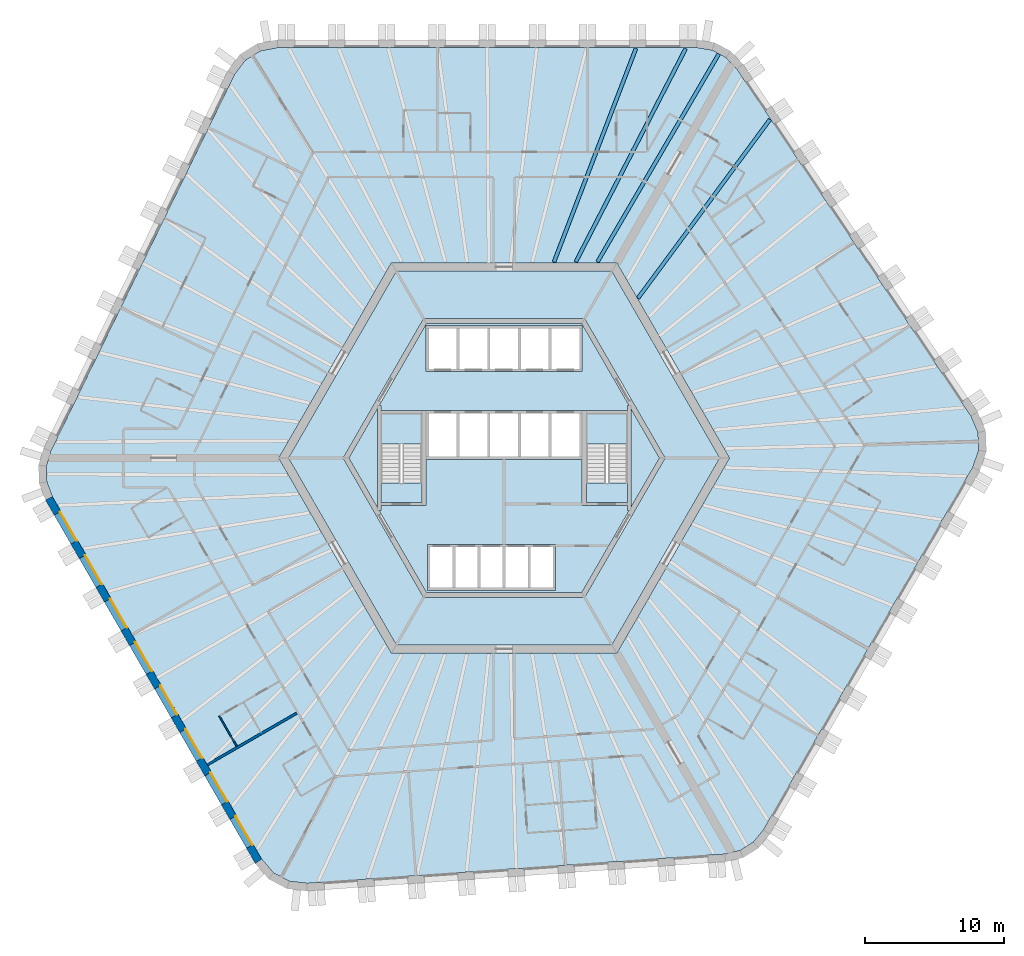
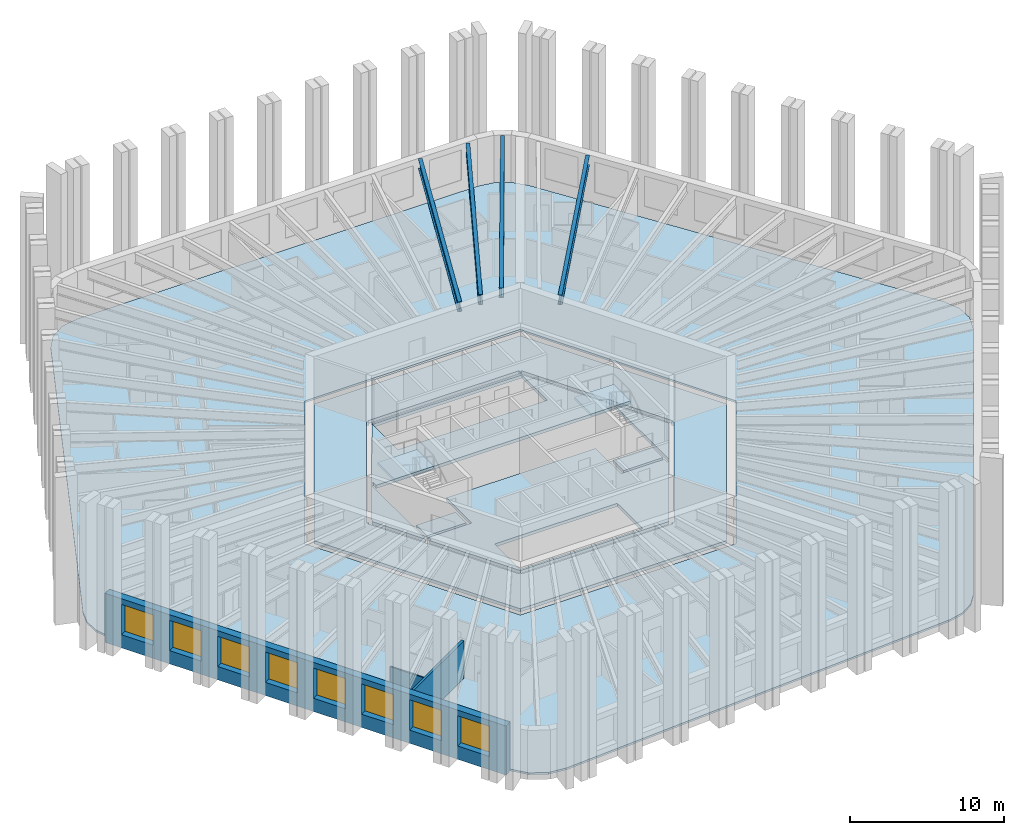
# One storey, part 2 of 12: 10 slabs, 8 windows, 4 beams, 3 walls, 8 openings, 2 elements without a shape of their own.
"""IFC4 building model written with IfcOpenShell, lengths in metres."""

from ifc_helpers import new_model, si_unit, direction, frame, frame_2d, origin, origin_2d, place, context, subcontext, project, spatial, polyline, rectangle, i_section, outline, extrude, material, layer, layer_set, material_profile, profile_set, type_object, element, fill, aggregate, save


model = new_model("IFC4")

# Units and contexts
model_context = context("Model", 3, precision=1e-05, world=origin(), true_north=direction((0.0, 1.0)))
body_context = subcontext(model_context, "Body", "Model", "MODEL_VIEW")
ifc_project = project(units=[si_unit("LENGTHUNIT", "METRE"), si_unit("AREAUNIT", "SQUARE_METRE"), si_unit("VOLUMEUNIT", "CUBIC_METRE"), si_unit("PLANEANGLEUNIT", "RADIAN"), si_unit("MASSUNIT", "GRAM", prefix="KILO")], contexts=[model_context])

# Site, building, storey
site_placement = place(None, origin())
site = spatial("IfcSite", under=ifc_project, at=site_placement, CompositionType="ELEMENT")
building_placement = place(site_placement, origin())
building = spatial("IfcBuilding", under=site, at=building_placement, Name="Tarnside Tower", CompositionType="ELEMENT")
storey_placement = place(building_placement, frame((0.0, 0.0, 37.5)))
storey = spatial("IfcBuildingStorey", under=building, at=storey_placement, Name="L06", CompositionType="ELEMENT", Elevation=37.5)

# Beams
ifc_material_1 = material(Name="Steel S355", Category="steel")
ifc_material_profile = material_profile(ifc_material_1, i_section(OverallWidth=0.2666015625, OverallDepth=0.76220703125, WebThickness=0.014404296875, FlangeThickness=0.021484375, FilletRadius=0.0166015625, at=origin_2d()), Name="UB 762x267x173")
ifc_profile_set = profile_set([ifc_material_profile], Name="Steel S355")
beam_type = type_object("IfcBeamType", Name="Floor beam UB 762x267x173", PredefinedType="BEAM", material=ifc_profile_set)
beam_1_placement = place(storey_placement, frame((13.0283203125, 29.37890625, 3.368896484375), z_axis=(-0.457973226459, -0.888965985765, 0.0), x_axis=(0.888965985765, -0.457973226459, 0.0)))
element("IfcBeam", 1, at=beam_1_placement, inside=storey, type_object=beam_type, Name="Floor beam F1.01", PredefinedType="BEAM", context=body_context, shape_type="SweptSolid", body=[
    extrude(i_section(OverallWidth=0.2666015625, OverallDepth=0.76220703125, WebThickness=0.014404296875, FlangeThickness=0.021484375, FilletRadius=0.0166015625, at=origin_2d()), origin(), (0.0, 0.0, 1.0), 17.219970703125),
])
beam_2_placement = place(storey_placement, frame((9.4619140625, 29.39404296875, 3.368896484375), z_axis=(-0.358299847269, -0.933606565662, 0.0), x_axis=(0.933606565662, -0.358299847269, 0.0)))
element("IfcBeam", 2, at=beam_2_placement, inside=storey, type_object=beam_type, Name="Floor beam F1.02", PredefinedType="BEAM", context=body_context, shape_type="SweptSolid", body=[
    extrude(i_section(OverallWidth=0.2666015625, OverallDepth=0.76220703125, WebThickness=0.014404296875, FlangeThickness=0.021484375, FilletRadius=0.0166015625, at=origin_2d()), origin(), (0.0, 0.0, 1.0), 16.428955078125),
])
beam_3_placement = place(storey_placement, frame((19.072021484375, 24.28857421875, 3.368896484375), z_axis=(-0.593986893499, -0.804474717037, 0.0), x_axis=(0.804474717037, -0.593986893499, 0.0)))
element("IfcBeam", 3, at=beam_3_placement, inside=storey, type_object=beam_type, Name="Floor beam F6.08", PredefinedType="BEAM", context=body_context, shape_type="SweptSolid", body=[
    extrude(i_section(OverallWidth=0.2666015625, OverallDepth=0.76220703125, WebThickness=0.014404296875, FlangeThickness=0.021484375, FilletRadius=0.0166015625, at=origin_2d()), origin(), (0.0, 0.0, 1.0), 15.934326171875),
])
beam_4_placement = place(storey_placement, frame((15.4013671875, 28.990478515625, 3.368896484375), z_axis=(-0.503858723096, -0.863786077198, 0.0), x_axis=(0.863786077198, -0.503858723096, 0.0)))
element("IfcBeam", 4, at=beam_4_placement, inside=storey, type_object=beam_type, Name="Floor beam C6", PredefinedType="BEAM", context=body_context, shape_type="SweptSolid", body=[
    extrude(i_section(OverallWidth=0.2666015625, OverallDepth=0.76220703125, WebThickness=0.014404296875, FlangeThickness=0.021484375, FilletRadius=0.0166015625, at=origin_2d()), origin(), (0.0, 0.0, 1.0), 17.2744140625),
])

# Slabs
ifc_material_2 = material(Name="Concrete C35/45", Category="concrete")
ifc_layer_1 = layer(ifc_material_2, 0.14990234375)
ifc_layer_set_1 = layer_set([ifc_layer_1], Name="Composite floor slab 150")
slab_type_1 = type_object("IfcSlabType", Name="Composite floor slab 150", PredefinedType="FLOOR", material=ifc_layer_set_1)
slab_1_placement = place(storey_placement, frame((0.0, 0.0, -0.14990234375)))
element("IfcSlab", 5, at=slab_1_placement, inside=storey, type_object=slab_type_1, Name="Floor slab L06", PredefinedType="FLOOR", context=body_context, shape_type="SweptSolid", body=[
    extrude(outline(polyline([(14.927490234375, 29.264892578125), (15.91455078125, 28.740234375), (16.697265625, 27.91064453125), (33.48583984375, 3.0205078125), (34.001220703125, 1.825439453125), (34.0458984375, 0.55078125), (33.614990234375, -0.67724609375), (18.603515625, -26.677978515625), (17.880615234375, -27.56005859375), (16.9326171875, -28.15234375), (15.82275390625, -28.41552734375), (-14.127197265625, -30.509765625), (-15.419921875, -30.358642578125), (-16.5458984375, -29.760009765625), (-17.39404296875, -28.772705078125), (-32.405517578125, -2.772216796875), (-32.80810546875, -1.704833984375), (-32.846923828125, -0.587890625), (-32.52001953125, 0.5048828125), (-19.358642578125, 27.4892578125), (-18.58154296875, 28.533203125), (-17.5, 29.208984375), (-16.220947265625, 29.449951171875), (13.802001953125, 29.449951171875), (14.927490234375, 29.264892578125)]), holes=[polyline([(-16.165771484375, 0.0), (-8.0830078125, -14.0), (8.0830078125, -14.0), (16.165771484375, 0.0), (8.0830078125, 14.0), (-8.0830078125, 14.0), (-16.165771484375, 0.0)])]), origin(), (0.0, 0.0, 1.0), 0.14990234375),
])
ifc_material_3 = material(Name="Concrete C40/50", Category="concrete")
ifc_layer_2 = layer(ifc_material_3, 0.25)
ifc_layer_set_2 = layer_set([ifc_layer_2], Name="Core slab C40/50")
slab_type_2 = type_object("IfcSlabType", Name="Core slab C40/50", PredefinedType="FLOOR", material=ifc_layer_set_2)
slab_2_placement = place(storey_placement, frame((0.0, 0.0, -0.25)))
element("IfcSlab", 6, at=slab_2_placement, inside=storey, type_object=slab_type_2, Name="L06 core floor slab 1", PredefinedType="FLOOR", context=body_context, shape_type="SweptSolid", body=[
    extrude(outline(polyline([(-15.472900390625, 0.0), (-7.736572265625, 13.39990234375), (7.736572265625, 13.39990234375), (15.472900390625, 0.0), (7.736572265625, -13.39990234375), (-7.736572265625, -13.39990234375), (-15.472900390625, 0.0)]), holes=[polyline([(5.823974609375, -9.91259765625), (11.49658203125, -0.08740234375), (11.344970703125, 0.0), (11.49658203125, 0.08740234375), (5.823974609375, 9.91259765625), (5.672607421875, 9.824951171875), (5.672607421875, 10.0), (-5.672607421875, 10.0), (-5.672607421875, 9.824951171875), (-5.823974609375, 9.91259765625), (-11.49658203125, 0.08740234375), (-11.344970703125, 0.0), (-11.49658203125, -0.08740234375), (-5.823974609375, -9.91259765625), (-5.672607421875, -9.824951171875), (-5.672607421875, -10.0), (5.672607421875, -10.0), (5.672607421875, -9.824951171875), (5.823974609375, -9.91259765625)])]), origin(), (0.0, 0.0, 1.0), 0.25),
])
slab_3_placement = place(storey_placement, frame((0.0, 0.0, -0.25)))
element("IfcSlab", 7, at=slab_3_placement, inside=storey, type_object=slab_type_2, Name="L06 core floor slab 2", PredefinedType="FLOOR", context=body_context, shape_type="SweptSolid", body=[
    extrude(outline(polyline([(-8.97509765625, 3.7548828125), (-5.5712890625, 9.64990234375), (5.5712890625, 9.64990234375), (8.97509765625, 3.7548828125), (8.85009765625, 3.7548828125), (8.85009765625, 3.39990234375), (5.89990234375, 3.39990234375), (5.60009765625, 3.39990234375), (5.60009765625, 3.39990234375), (-5.60009765625, 3.39990234375), (-5.89990234375, 3.39990234375), (-8.85009765625, 3.39990234375), (-8.85009765625, 3.7548828125), (-8.97509765625, 3.7548828125)]), holes=[polyline([(-5.60009765625, 6.199951171875), (5.60009765625, 6.199951171875), (5.60009765625, 6.39990234375), (5.60009765625, 9.300048828125), (5.60009765625, 9.5), (-5.60009765625, 9.5), (-5.60009765625, 9.300048828125), (-5.60009765625, 6.39990234375), (-5.60009765625, 6.199951171875)])]), origin(), (0.0, 0.0, 1.0), 0.25),
])
slab_4_placement = place(storey_placement, frame((0.0, 0.0, -0.25)))
element("IfcSlab", 8, at=slab_4_placement, inside=storey, type_object=slab_type_2, Name="L06 core floor slab 3", PredefinedType="FLOOR", context=body_context, shape_type="SweptSolid", body=[
    extrude(outline(polyline([(5.60009765625, -3.39990234375), (5.89990234375, -3.39990234375), (8.85009765625, -3.39990234375), (8.85009765625, -3.7548828125), (8.97509765625, -3.7548828125), (5.5712890625, -9.64990234375), (-5.5712890625, -9.64990234375), (-8.97509765625, -3.7548828125), (-8.85009765625, -3.7548828125), (-8.85009765625, -3.39990234375), (-5.89990234375, -3.39990234375), (-5.60009765625, -3.39990234375), (-5.60009765625, -0.10009765625), (5.60009765625, -0.10009765625), (5.60009765625, -3.39990234375)]), holes=[polyline([(-5.5, -9.300048828125), (-5.5, -9.5), (3.699951171875, -9.5), (3.699951171875, -9.300048828125), (3.699951171875, -6.39990234375), (3.699951171875, -6.199951171875), (-5.5, -6.199951171875), (-5.5, -6.39990234375), (-5.5, -9.300048828125)])]), origin(), (0.0, 0.0, 1.0), 0.25),
])
slab_5_placement = place(storey_placement, frame((0.0, 0.0, -0.25)))
element("IfcSlab", 9, at=slab_5_placement, inside=storey, type_object=slab_type_2, Name="L06 core floor slab 4", PredefinedType="FLOOR", context=body_context, shape_type="SweptSolid", body=[
    extrude(outline(polyline([(-11.142822265625, 0.0), (-9.10009765625, 3.538330078125), (-9.10009765625, -3.538330078125), (-11.142822265625, 0.0)])), origin(), (0.0, 0.0, 1.0), 0.25),
])
slab_6_placement = place(storey_placement, frame((0.0, 0.0, -0.25)))
element("IfcSlab", 10, at=slab_6_placement, inside=storey, type_object=slab_type_2, Name="L06 core floor slab 5", PredefinedType="FLOOR", context=body_context, shape_type="SweptSolid", body=[
    extrude(outline(polyline([(-8.85009765625, -1.800048828125), (-5.89990234375, -1.800048828125), (-5.89990234375, -3.199951171875), (-8.85009765625, -3.199951171875), (-8.85009765625, -1.800048828125)])), origin(), (0.0, 0.0, 1.0), 0.25),
])
slab_7_placement = place(storey_placement, frame((0.0, 0.0, -0.25)))
element("IfcSlab", 11, at=slab_7_placement, inside=storey, type_object=slab_type_2, Name="L06 core floor slab 6", PredefinedType="FLOOR", context=body_context, shape_type="SweptSolid", body=[
    extrude(outline(polyline([(5.89990234375, -3.199951171875), (5.89990234375, -1.800048828125), (8.85009765625, -1.800048828125), (8.85009765625, -3.199951171875), (5.89990234375, -3.199951171875)])), origin(), (0.0, 0.0, 1.0), 0.25),
])
slab_8_placement = place(storey_placement, frame((0.0, 0.0, -0.25)))
element("IfcSlab", 12, at=slab_8_placement, inside=storey, type_object=slab_type_2, Name="L06 core floor slab 7", PredefinedType="FLOOR", context=body_context, shape_type="SweptSolid", body=[
    extrude(outline(polyline([(9.10009765625, -3.538330078125), (9.10009765625, 3.538330078125), (11.142822265625, 0.0), (9.10009765625, -3.538330078125)])), origin(), (0.0, 0.0, 1.0), 0.25),
])

# Stair, slab
stair_type = type_object("IfcStairType", Name="Exit stair 1400 clear", PredefinedType="HALF_TURN_STAIR", material=ifc_material_3)
stair_1_placement = place(storey_placement, origin())
stair_1 = element("IfcStair", 13, at=stair_1_placement, inside=storey, type_object=stair_type, Name="L06 Exit stair 1", PredefinedType="HALF_TURN_STAIR")
ifc_layer_3 = layer(ifc_material_3, 0.199951171875)
ifc_layer_set_3 = layer_set([ifc_layer_3], Name="Stair landing 200 C40/50")
slab_type_3 = type_object("IfcSlabType", Name="Stair landing 200 C40/50", PredefinedType="LANDING", material=ifc_layer_set_3)
slab_9_placement = place(storey_placement, frame((0.0, 0.0, 1.75)))
slab_9 = element("IfcSlab", 14, at=slab_9_placement, type_object=slab_type_3, Name="ST1 landing 1", PredefinedType="LANDING", context=body_context, shape_type="SweptSolid", body=[
    extrude(outline(polyline([(8.85009765625, 1.0), (8.85009765625, 3.199951171875), (5.89990234375, 3.199951171875), (5.89990234375, 1.0), (8.85009765625, 1.0)])), origin(), (0.0, 0.0, 1.0), 0.199951171875),
])
aggregate(stair_1, [slab_9])

stair_2_placement = place(storey_placement, origin())
stair_2 = element("IfcStair", 15, at=stair_2_placement, inside=storey, type_object=stair_type, Name="L06 Exit stair 2", PredefinedType="HALF_TURN_STAIR")
slab_10_placement = place(storey_placement, frame((0.0, 0.0, 1.75)))
slab_10 = element("IfcSlab", 16, at=slab_10_placement, type_object=slab_type_3, Name="ST2 landing 1", PredefinedType="LANDING", context=body_context, shape_type="SweptSolid", body=[
    extrude(outline(polyline([(-5.89990234375, 1.0), (-5.89990234375, 3.199951171875), (-8.85009765625, 3.199951171875), (-8.85009765625, 1.0), (-5.89990234375, 1.0)])), origin(), (0.0, 0.0, 1.0), 0.199951171875),
])
aggregate(stair_2, [slab_10])

# Walls
ifc_material_4 = material(Name="Gypsum board partition on steel studs", Category="steel")
ifc_layer_4 = layer(ifc_material_4, 0.179931640625)
ifc_layer_set_4 = layer_set([ifc_layer_4], Name="Demising wall 180 EI 60")
wall_type_1 = type_object("IfcWallType", Name="Demising wall 180 EI 60", PredefinedType="PARTITIONING", material=ifc_layer_set_4)
wall_1_placement = place(storey_placement, frame((-21.298828125, -22.00927734375, 0.0), z_axis=(0.0, 0.0, 1.0), x_axis=(0.866014745021, 0.500018461065, 0.0)))
element("IfcWall", 17, at=wall_1_placement, inside=storey, type_object=wall_type_1, Name="Demising wall 01107", PredefinedType="PARTITIONING", context=body_context, shape_type="SweptSolid", body=[
    extrude(rectangle(XDim=7.425048828125, YDim=0.179931640625, at=frame_2d((3.71240234375, 0.0))), origin(), (0.0, 0.0, 1.0), 2.98779296875),
])
ifc_layer_5 = layer(ifc_material_4, 0.10009765625)
ifc_layer_set_5 = layer_set([ifc_layer_5], Name="Partition 100")
wall_type_2 = type_object("IfcWallType", Name="Partition 100", PredefinedType="PARTITIONING", material=ifc_layer_set_5)
wall_2_placement = place(storey_placement, frame((-19.178955078125, -20.68115234375, 0.0), z_axis=(0.0, 0.0, 1.0), x_axis=(-0.499989096993, 0.866031698547, 0.0)))
element("IfcWall", 18, at=wall_2_placement, inside=storey, type_object=wall_type_2, Name="Partition wall 01105", PredefinedType="PARTITIONING", context=body_context, shape_type="SweptSolid", body=[
    extrude(rectangle(XDim=2.509765625, YDim=0.10009765625, at=frame_2d((1.2548828125, 0.0))), origin(), (0.0, 0.0, 1.0), 2.98779296875),
])

# Wall, openings, windows
ifc_material_5 = material(Name="Facing brick", Category="masonry")
ifc_layer_6 = layer(ifc_material_5, 0.10205078125)
ifc_material_6 = material(Name="Concrete C60/75 precast", Category="concrete")
ifc_layer_7 = layer(ifc_material_6, 0.347900390625)
ifc_material_7 = material(Name="Mineral wool insulation")
ifc_layer_8 = layer(ifc_material_7, 0.10009765625)
ifc_layer_set_6 = layer_set([ifc_layer_6, ifc_layer_7, ifc_layer_8], Name="Tube wall 550 brick faced")
wall_type_3 = type_object("IfcWallType", Name="Tube wall 550 brick faced", PredefinedType="SOLIDWALL", material=ifc_layer_set_6)
wall_3_placement = place(storey_placement, frame((-32.65478515625, -2.89013671875, -0.14990234375), z_axis=(0.0, 0.0, 1.0), x_axis=(0.499997711317, -0.866026725152, 0.0)))
wall_3 = element("IfcWall", 19, at=wall_3_placement, inside=storey, type_object=wall_type_3, Name="Tube wall L06 F3 flush 08", PredefinedType="SOLIDWALL", context=body_context, shape_type="SweptSolid", body=[
    extrude(outline(polyline([(-0.0224609375, -0.27490234375), (30.0966796875, -0.27490234375), (30.04541015625, 0.27490234375), (0.0224609375, 0.27490234375), (-0.0224609375, -0.27490234375)])), origin(), (0.0, 0.0, 1.0), 3.89990234375),
])
opening_1_placement = place(wall_3_placement, frame((1.235595703125, 0.0, 1.050048828125)))
opening_1 = element("IfcOpeningElement", 20, at=opening_1_placement, cuts=wall_3, Name="Opening WH", PredefinedType="OPENING", context=body_context, shape_type="SweptSolid", body=[
    extrude(rectangle(XDim=2.39990234375, YDim=2.39990234375, at=frame_2d((1.199951171875, 1.199951171875))), frame((0.0, 0.28515625, 0.0), z_axis=(0.0, -1.0, 0.0), x_axis=(1.0, 0.0, 0.0)), (0.0, 0.0, 1.0), 0.570068359375),
])
opening_2_placement = place(wall_3_placement, frame((4.83544921875, 0.0, 1.050048828125)))
opening_2 = element("IfcOpeningElement", 21, at=opening_2_placement, cuts=wall_3, Name="Opening WH", PredefinedType="OPENING", context=body_context, shape_type="SweptSolid", body=[
    extrude(rectangle(XDim=2.39990234375, YDim=2.39990234375, at=frame_2d((1.199951171875, 1.199951171875))), frame((0.0, 0.28515625, 0.0), z_axis=(0.0, -1.0, 0.0), x_axis=(1.0, 0.0, 0.0)), (0.0, 0.0, 1.0), 0.570068359375),
])
opening_3_placement = place(wall_3_placement, frame((8.435546875, 0.0, 1.050048828125)))
opening_3 = element("IfcOpeningElement", 22, at=opening_3_placement, cuts=wall_3, Name="Opening WH", PredefinedType="OPENING", context=body_context, shape_type="SweptSolid", body=[
    extrude(rectangle(XDim=2.39990234375, YDim=2.39990234375, at=frame_2d((1.199951171875, 1.199951171875))), frame((0.0, 0.28515625, 0.0), z_axis=(0.0, -1.0, 0.0), x_axis=(1.0, 0.0, 0.0)), (0.0, 0.0, 1.0), 0.570068359375),
])
opening_4_placement = place(wall_3_placement, frame((12.035400390625, 0.0, 1.050048828125)))
opening_4 = element("IfcOpeningElement", 23, at=opening_4_placement, cuts=wall_3, Name="Opening WH", PredefinedType="OPENING", context=body_context, shape_type="SweptSolid", body=[
    extrude(rectangle(XDim=2.39990234375, YDim=2.39990234375, at=frame_2d((1.199951171875, 1.199951171875))), frame((0.0, 0.28515625, 0.0), z_axis=(0.0, -1.0, 0.0), x_axis=(1.0, 0.0, 0.0)), (0.0, 0.0, 1.0), 0.570068359375),
])
opening_5_placement = place(wall_3_placement, frame((15.635498046875, 0.0, 1.050048828125)))
opening_5 = element("IfcOpeningElement", 24, at=opening_5_placement, cuts=wall_3, Name="Opening WH", PredefinedType="OPENING", context=body_context, shape_type="SweptSolid", body=[
    extrude(rectangle(XDim=2.39990234375, YDim=2.39990234375, at=frame_2d((1.199951171875, 1.199951171875))), frame((0.0, 0.28515625, 0.0), z_axis=(0.0, -1.0, 0.0), x_axis=(1.0, 0.0, 0.0)), (0.0, 0.0, 1.0), 0.570068359375),
])
opening_6_placement = place(wall_3_placement, frame((19.235595703125, 0.0, 1.050048828125)))
opening_6 = element("IfcOpeningElement", 25, at=opening_6_placement, cuts=wall_3, Name="Opening WH", PredefinedType="OPENING", context=body_context, shape_type="SweptSolid", body=[
    extrude(rectangle(XDim=2.39990234375, YDim=2.39990234375, at=frame_2d((1.199951171875, 1.199951171875))), frame((0.0, 0.28515625, 0.0), z_axis=(0.0, -1.0, 0.0), x_axis=(1.0, 0.0, 0.0)), (0.0, 0.0, 1.0), 0.570068359375),
])
opening_7_placement = place(wall_3_placement, frame((22.83544921875, 0.0, 1.050048828125)))
opening_7 = element("IfcOpeningElement", 26, at=opening_7_placement, cuts=wall_3, Name="Opening WH", PredefinedType="OPENING", context=body_context, shape_type="SweptSolid", body=[
    extrude(rectangle(XDim=2.39990234375, YDim=2.39990234375, at=frame_2d((1.199951171875, 1.199951171875))), frame((0.0, 0.28515625, 0.0), z_axis=(0.0, -1.0, 0.0), x_axis=(1.0, 0.0, 0.0)), (0.0, 0.0, 1.0), 0.570068359375),
])
opening_8_placement = place(wall_3_placement, frame((26.435546875, 0.0, 1.050048828125)))
opening_8 = element("IfcOpeningElement", 27, at=opening_8_placement, cuts=wall_3, Name="Opening WH", PredefinedType="OPENING", context=body_context, shape_type="SweptSolid", body=[
    extrude(rectangle(XDim=2.39990234375, YDim=2.39990234375, at=frame_2d((1.199951171875, 1.199951171875))), frame((0.0, 0.28515625, 0.0), z_axis=(0.0, -1.0, 0.0), x_axis=(1.0, 0.0, 0.0)), (0.0, 0.0, 1.0), 0.570068359375),
])
ifc_material_8 = material(Name="Aluminium-framed double glazing", Category="aluminium")
window_type = type_object("IfcWindowType", Name="Hotel window 2400 x 2400", PartitioningType="DOUBLE_PANEL_VERTICAL", PredefinedType="WINDOW", material=ifc_material_8)
window_1_placement = place(opening_1_placement, frame((0.0, 0.205078125, 0.0)))
window_1 = element("IfcWindow", 28, at=window_1_placement, inside=storey, type_object=window_type, Name="E.WN.L06.F3.00", OverallHeight=2.39990234375, OverallWidth=2.39990234375, PartitioningType="DOUBLE_PANEL_VERTICAL", PredefinedType="WINDOW", context=body_context, shape_type="SweptSolid", body=[
    extrude(rectangle(XDim=2.39990234375, YDim=2.39990234375, at=frame_2d((1.199951171875, 1.199951171875))), frame((0.0, 0.030029296875, 0.0), z_axis=(0.0, -1.0, 0.0), x_axis=(1.0, 0.0, 0.0)), (0.0, 0.0, 1.0), 0.06005859375),
])
fill(opening_1, window_1)
window_2_placement = place(opening_2_placement, frame((0.0, 0.205078125, 0.0)))
window_2 = element("IfcWindow", 29, at=window_2_placement, inside=storey, type_object=window_type, Name="E.WN.L06.F3.01", OverallHeight=2.39990234375, OverallWidth=2.39990234375, PartitioningType="DOUBLE_PANEL_VERTICAL", PredefinedType="WINDOW", context=body_context, shape_type="SweptSolid", body=[
    extrude(rectangle(XDim=2.39990234375, YDim=2.39990234375, at=frame_2d((1.199951171875, 1.199951171875))), frame((0.0, 0.030029296875, 0.0), z_axis=(0.0, -1.0, 0.0), x_axis=(1.0, 0.0, 0.0)), (0.0, 0.0, 1.0), 0.06005859375),
])
fill(opening_2, window_2)
window_3_placement = place(opening_3_placement, frame((0.0, 0.205078125, 0.0)))
window_3 = element("IfcWindow", 30, at=window_3_placement, inside=storey, type_object=window_type, Name="E.WN.L06.F3.02", OverallHeight=2.39990234375, OverallWidth=2.39990234375, PartitioningType="DOUBLE_PANEL_VERTICAL", PredefinedType="WINDOW", context=body_context, shape_type="SweptSolid", body=[
    extrude(rectangle(XDim=2.39990234375, YDim=2.39990234375, at=frame_2d((1.199951171875, 1.199951171875))), frame((0.0, 0.030029296875, 0.0), z_axis=(0.0, -1.0, 0.0), x_axis=(1.0, 0.0, 0.0)), (0.0, 0.0, 1.0), 0.06005859375),
])
fill(opening_3, window_3)
window_4_placement = place(opening_4_placement, frame((0.0, 0.205078125, 0.0)))
window_4 = element("IfcWindow", 31, at=window_4_placement, inside=storey, type_object=window_type, Name="E.WN.L06.F3.03", OverallHeight=2.39990234375, OverallWidth=2.39990234375, PartitioningType="DOUBLE_PANEL_VERTICAL", PredefinedType="WINDOW", context=body_context, shape_type="SweptSolid", body=[
    extrude(rectangle(XDim=2.39990234375, YDim=2.39990234375, at=frame_2d((1.199951171875, 1.199951171875))), frame((0.0, 0.030029296875, 0.0), z_axis=(0.0, -1.0, 0.0), x_axis=(1.0, 0.0, 0.0)), (0.0, 0.0, 1.0), 0.06005859375),
])
fill(opening_4, window_4)
window_5_placement = place(opening_5_placement, frame((0.0, 0.205078125, 0.0)))
window_5 = element("IfcWindow", 32, at=window_5_placement, inside=storey, type_object=window_type, Name="E.WN.L06.F3.04", OverallHeight=2.39990234375, OverallWidth=2.39990234375, PartitioningType="DOUBLE_PANEL_VERTICAL", PredefinedType="WINDOW", context=body_context, shape_type="SweptSolid", body=[
    extrude(rectangle(XDim=2.39990234375, YDim=2.39990234375, at=frame_2d((1.199951171875, 1.199951171875))), frame((0.0, 0.030029296875, 0.0), z_axis=(0.0, -1.0, 0.0), x_axis=(1.0, 0.0, 0.0)), (0.0, 0.0, 1.0), 0.06005859375),
])
fill(opening_5, window_5)
window_6_placement = place(opening_6_placement, frame((0.0, 0.205078125, 0.0)))
window_6 = element("IfcWindow", 33, at=window_6_placement, inside=storey, type_object=window_type, Name="E.WN.L06.F3.05", OverallHeight=2.39990234375, OverallWidth=2.39990234375, PartitioningType="DOUBLE_PANEL_VERTICAL", PredefinedType="WINDOW", context=body_context, shape_type="SweptSolid", body=[
    extrude(rectangle(XDim=2.39990234375, YDim=2.39990234375, at=frame_2d((1.199951171875, 1.199951171875))), frame((0.0, 0.030029296875, 0.0), z_axis=(0.0, -1.0, 0.0), x_axis=(1.0, 0.0, 0.0)), (0.0, 0.0, 1.0), 0.06005859375),
])
fill(opening_6, window_6)
window_7_placement = place(opening_7_placement, frame((0.0, 0.205078125, 0.0)))
window_7 = element("IfcWindow", 34, at=window_7_placement, inside=storey, type_object=window_type, Name="E.WN.L06.F3.06", OverallHeight=2.39990234375, OverallWidth=2.39990234375, PartitioningType="DOUBLE_PANEL_VERTICAL", PredefinedType="WINDOW", context=body_context, shape_type="SweptSolid", body=[
    extrude(rectangle(XDim=2.39990234375, YDim=2.39990234375, at=frame_2d((1.199951171875, 1.199951171875))), frame((0.0, 0.030029296875, 0.0), z_axis=(0.0, -1.0, 0.0), x_axis=(1.0, 0.0, 0.0)), (0.0, 0.0, 1.0), 0.06005859375),
])
fill(opening_7, window_7)
window_8_placement = place(opening_8_placement, frame((0.0, 0.205078125, 0.0)))
window_8 = element("IfcWindow", 35, at=window_8_placement, inside=storey, type_object=window_type, Name="E.WN.L06.F3.07", OverallHeight=2.39990234375, OverallWidth=2.39990234375, PartitioningType="DOUBLE_PANEL_VERTICAL", PredefinedType="WINDOW", context=body_context, shape_type="SweptSolid", body=[
    extrude(rectangle(XDim=2.39990234375, YDim=2.39990234375, at=frame_2d((1.199951171875, 1.199951171875))), frame((0.0, 0.030029296875, 0.0), z_axis=(0.0, -1.0, 0.0), x_axis=(1.0, 0.0, 0.0)), (0.0, 0.0, 1.0), 0.06005859375),
])
fill(opening_8, window_8)

save(model, "model.ifc")
